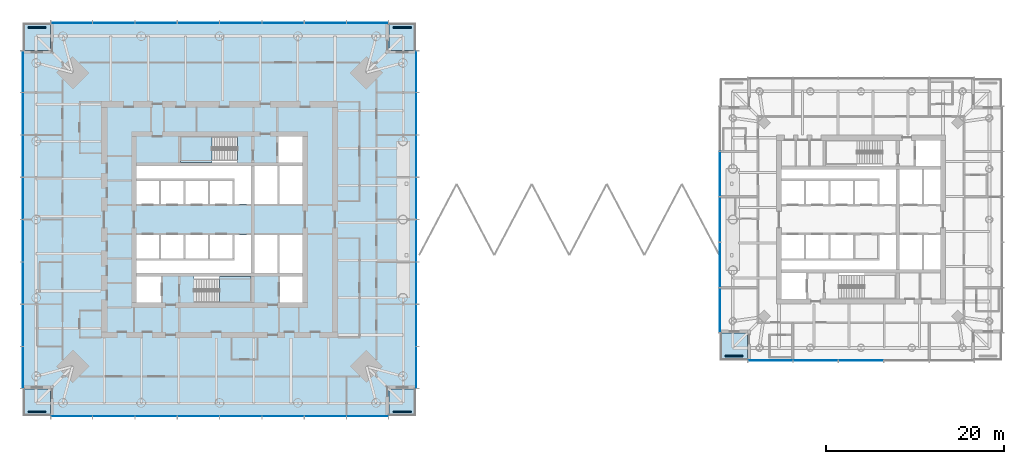
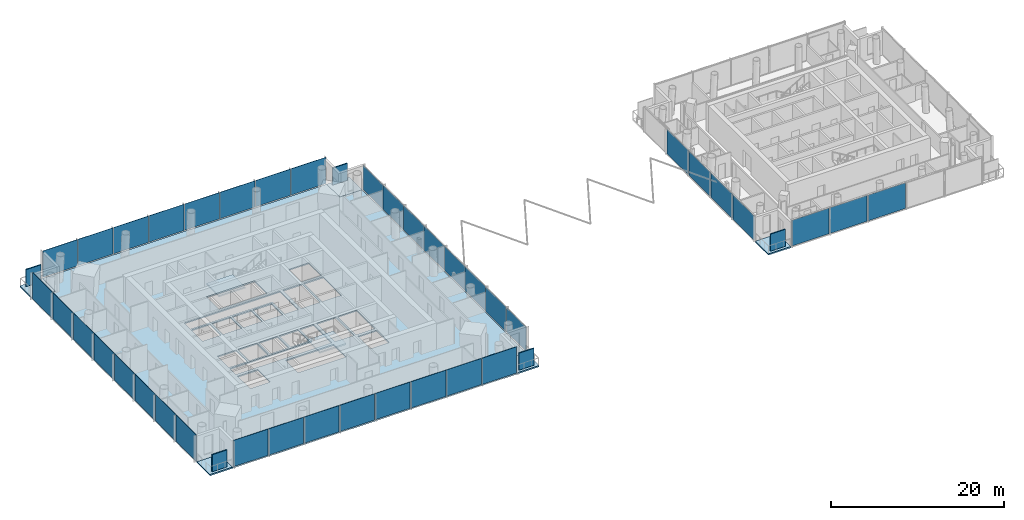
# One storey, part 7 of 19: 44 plates, 8 slabs, 8 elements without a shape of their own.
"""IFC4 building model written with IfcOpenShell, lengths in metres."""

from ifc_helpers import new_model, si_unit, direction, frame, origin, origin_2d, place, context, subcontext, project, spatial, polyline, rectangle, outline, extrude, material, layer, layer_set, type_object, element, aggregate, save


model = new_model("IFC4")

# Units and contexts
model_context = context("Model", 3, precision=1e-05, world=origin(), true_north=direction((0.0, 1.0)))
body_context = subcontext(model_context, "Body", "Model", "MODEL_VIEW")
ifc_project = project(units=[si_unit("LENGTHUNIT", "METRE"), si_unit("AREAUNIT", "SQUARE_METRE"), si_unit("VOLUMEUNIT", "CUBIC_METRE"), si_unit("PLANEANGLEUNIT", "RADIAN"), si_unit("MASSUNIT", "GRAM", prefix="KILO")], contexts=[model_context])

# Site, building, storey
site_placement = place(None, origin())
site = spatial("IfcSite", under=ifc_project, at=site_placement, CompositionType="ELEMENT")
building_placement = place(site_placement, origin())
building = spatial("IfcBuilding", under=site, at=building_placement, Name="Ostroluk Exchange", CompositionType="ELEMENT")
storey_placement = place(building_placement, frame((0.0, 0.0, 127.39990234375)))
storey = spatial("IfcBuildingStorey", under=building, at=storey_placement, Name="L32", CompositionType="ELEMENT", Elevation=127.39990234375)

# Curtain wall, plates
ifc_material_1 = material(Name="Laminated clear glass", Category="glass")
curtain_wall_type_1 = type_object("IfcCurtainWallType", Name="Hotel guest floor facade", PredefinedType="USERDEFINED", material=ifc_material_1)
curtain_wall_1_placement = place(storey_placement, origin())
curtain_wall_1 = element("IfcCurtainWall", 1, at=curtain_wall_1_placement, inside=storey, type_object=curtain_wall_type_1, Name="Hotel tower south facade L32", ObjectType="UNITISED CURTAIN WALL", PredefinedType="USERDEFINED")
ifc_material_2 = material(Name="Laminated clear glass", Category="glass")
ifc_layer_1 = layer(ifc_material_2, 0.0400390625)
ifc_layer_set_1 = layer_set([ifc_layer_1], Name="Acoustic laminated glazing 40")
plate_type_1 = type_object("IfcPlateType", Name="Acoustic laminated glazing 40", PredefinedType="CURTAIN_PANEL", material=ifc_layer_set_1)
plate_1_placement = place(storey_placement, frame((106.820068359375, 30.175048828125, 0.080078125), z_axis=(0.0, 0.0, 1.0), x_axis=(1.0, 0.0, 0.0)))
plate_1 = element("IfcPlate", 2, at=plate_1_placement, type_object=plate_type_1, Name="CW-H1 panel 1.1", PredefinedType="CURTAIN_PANEL", context=body_context, shape_type="SweptSolid", body=[
    extrude(rectangle(XDim=4.97998046875, YDim=0.0400390625, at=origin_2d()), origin(), (0.0, 0.0, 1.0), 3.639892578125),
])
plate_2_placement = place(storey_placement, frame((111.89990234375, 30.175048828125, 0.080078125), z_axis=(0.0, 0.0, 1.0), x_axis=(1.0, 0.0, 0.0)))
plate_2 = element("IfcPlate", 3, at=plate_2_placement, type_object=plate_type_1, Name="CW-H1 panel 2.1", PredefinedType="CURTAIN_PANEL", context=body_context, shape_type="SweptSolid", body=[
    extrude(rectangle(XDim=5.02001953125, YDim=0.0400390625, at=origin_2d()), origin(), (0.0, 0.0, 1.0), 3.639892578125),
])
plate_3_placement = place(storey_placement, frame((117.0, 30.175048828125, 0.080078125), z_axis=(0.0, 0.0, 1.0), x_axis=(1.0, 0.0, 0.0)))
plate_3 = element("IfcPlate", 4, at=plate_3_placement, type_object=plate_type_1, Name="CW-H1 panel 3.1", PredefinedType="CURTAIN_PANEL", context=body_context, shape_type="SweptSolid", body=[
    extrude(rectangle(XDim=5.02001953125, YDim=0.0400390625, at=origin_2d()), origin(), (0.0, 0.0, 1.0), 3.639892578125),
])
aggregate(curtain_wall_1, [plate_1, plate_2, plate_3])

curtain_wall_2_placement = place(storey_placement, origin())
curtain_wall_2 = element("IfcCurtainWall", 5, at=curtain_wall_2_placement, inside=storey, type_object=curtain_wall_type_1, Name="Hotel tower west facade L32", ObjectType="UNITISED CURTAIN WALL", PredefinedType="USERDEFINED")
plate_4_placement = place(storey_placement, frame((101.175048828125, 51.10009765625, 0.080078125), z_axis=(0.0, 0.0, 1.0), x_axis=(0.0, -1.0, 0.0)))
plate_4 = element("IfcPlate", 6, at=plate_4_placement, type_object=plate_type_1, Name="CW-H1 panel 2.1", PredefinedType="CURTAIN_PANEL", context=body_context, shape_type="SweptSolid", body=[
    extrude(rectangle(XDim=5.02001953125, YDim=0.0400390625, at=origin_2d()), origin(), (0.0, 0.0, 1.0), 3.43994140625),
])
plate_5_placement = place(storey_placement, frame((101.175048828125, 46.0, 0.080078125), z_axis=(0.0, 0.0, 1.0), x_axis=(0.0, -1.0, 0.0)))
plate_5 = element("IfcPlate", 7, at=plate_5_placement, type_object=plate_type_1, Name="CW-H1 panel 3.1", PredefinedType="CURTAIN_PANEL", context=body_context, shape_type="SweptSolid", body=[
    extrude(rectangle(XDim=5.02001953125, YDim=0.0400390625, at=origin_2d()), origin(), (0.0, 0.0, 1.0), 3.43994140625),
])
plate_6_placement = place(storey_placement, frame((101.175048828125, 40.89990234375, 0.080078125), z_axis=(0.0, 0.0, 1.0), x_axis=(0.0, -1.0, 0.0)))
plate_6 = element("IfcPlate", 8, at=plate_6_placement, type_object=plate_type_1, Name="CW-H1 panel 4.1", PredefinedType="CURTAIN_PANEL", context=body_context, shape_type="SweptSolid", body=[
    extrude(rectangle(XDim=5.02001953125, YDim=0.0400390625, at=origin_2d()), origin(), (0.0, 0.0, 1.0), 3.43994140625),
])
plate_7_placement = place(storey_placement, frame((101.175048828125, 35.820068359375, 0.080078125), z_axis=(0.0, 0.0, 1.0), x_axis=(0.0, -1.0, 0.0)))
plate_7 = element("IfcPlate", 9, at=plate_7_placement, type_object=plate_type_1, Name="CW-H1 panel 5.1", PredefinedType="CURTAIN_PANEL", context=body_context, shape_type="SweptSolid", body=[
    extrude(rectangle(XDim=4.97998046875, YDim=0.0400390625, at=origin_2d()), origin(), (0.0, 0.0, 1.0), 3.43994140625),
])
aggregate(curtain_wall_2, [plate_4, plate_5, plate_6, plate_7])

# Slabs
ifc_material_3 = material(Name="Concrete C35/45", Category="concrete")
ifc_layer_2 = layer(ifc_material_3, 0.179931640625)
ifc_layer_set_2 = layer_set([ifc_layer_2], Name="Balcony slab 180")
slab_type_1 = type_object("IfcSlabType", Name="Balcony slab 180", PredefinedType="USERDEFINED", material=ifc_layer_set_2)
slab_1_placement = place(storey_placement, frame((0.0, 0.0, -0.179931640625)))
element("IfcSlab", 10, at=slab_1_placement, inside=storey, type_object=slab_type_1, Name="Office tower SE corner balcony L32", ObjectType="BALCONY", PredefinedType="USERDEFINED", context=body_context, shape_type="SweptSolid", body=[
    extrude(outline(polyline([(64.0, 24.0), (67.0, 24.0), (67.0, 27.0), (64.0, 27.0), (64.0, 24.0)])), origin(), (0.0, 0.0, 1.0), 0.179931640625),
])
slab_2_placement = place(storey_placement, frame((0.0, 0.0, -0.179931640625)))
element("IfcSlab", 11, at=slab_2_placement, inside=storey, type_object=slab_type_1, Name="Office tower NE corner balcony L32", ObjectType="BALCONY", PredefinedType="USERDEFINED", context=body_context, shape_type="SweptSolid", body=[
    extrude(outline(polyline([(64.0, 65.0), (67.0, 65.0), (67.0, 68.0), (64.0, 68.0), (64.0, 65.0)])), origin(), (0.0, 0.0, 1.0), 0.179931640625),
])
slab_3_placement = place(storey_placement, frame((0.0, 0.0, -0.179931640625)))
element("IfcSlab", 12, at=slab_3_placement, inside=storey, type_object=slab_type_1, Name="Office tower NW corner balcony L32", ObjectType="BALCONY", PredefinedType="USERDEFINED", context=body_context, shape_type="SweptSolid", body=[
    extrude(outline(polyline([(23.0, 65.0), (26.0, 65.0), (26.0, 68.0), (23.0, 68.0), (23.0, 65.0)])), origin(), (0.0, 0.0, 1.0), 0.179931640625),
])
slab_4_placement = place(storey_placement, frame((0.0, 0.0, -0.179931640625)))
element("IfcSlab", 13, at=slab_4_placement, inside=storey, type_object=slab_type_1, Name="Office tower SW corner balcony L32", ObjectType="BALCONY", PredefinedType="USERDEFINED", context=body_context, shape_type="SweptSolid", body=[
    extrude(outline(polyline([(23.0, 24.0), (26.0, 24.0), (26.0, 27.0), (23.0, 27.0), (23.0, 24.0)])), origin(), (0.0, 0.0, 1.0), 0.179931640625),
])
ifc_material_4 = material(Name="Concrete C35/45", Category="concrete")
ifc_layer_3 = layer(ifc_material_4, 0.199951171875)
ifc_layer_set_3 = layer_set([ifc_layer_3], Name="Balcony slab 200")
slab_type_2 = type_object("IfcSlabType", Name="Balcony slab 200", PredefinedType="USERDEFINED", material=ifc_layer_set_3)
slab_5_placement = place(storey_placement, frame((0.0, 0.0, -0.199951171875)))
element("IfcSlab", 14, at=slab_5_placement, inside=storey, type_object=slab_type_2, Name="Hotel tower SW corner balcony L32", ObjectType="BALCONY", PredefinedType="USERDEFINED", context=body_context, shape_type="SweptSolid", body=[
    extrude(outline(polyline([(101.25, 30.25), (104.25, 30.25), (104.25, 33.25), (101.25, 33.25), (101.25, 30.25)])), origin(), (0.0, 0.0, 1.0), 0.199951171875),
])

# Plates
ifc_material_5 = material(Name="Steel S355 trellis with planting", Category="steel")
ifc_layer_4 = layer(ifc_material_5, 0.14990234375)
ifc_layer_set_4 = layer_set([ifc_layer_4], Name="Planted screen 150")
plate_type_2 = type_object("IfcPlateType", Name="Planted screen 150", PredefinedType="USERDEFINED", material=ifc_layer_set_4)
for number, where, z_axis, x_axis, name in (
    (15, (65.5, 24.425048828125, 0.000244140625), (0.0, 0.0, 1.0), (1.0, 0.0, 0.0), "Office tower SE planted screen L32"),
    (16, (65.5, 67.574951171875, 0.000244140625), (0.0, 0.0, 1.0), (1.0, 0.0, 0.0), "Office tower NE planted screen L32"),
    (17, (24.5, 67.574951171875, 0.000244140625), (0.0, 0.0, 1.0), (1.0, 0.0, 0.0), "Office tower NW planted screen L32"),
    (18, (24.5, 24.425048828125, 0.000244140625), (0.0, 0.0, 1.0), (1.0, 0.0, 0.0), "Office tower SW planted screen L32"),
    (19, (102.75, 30.675048828125, 0.000244140625), (0.0, 0.0, 1.0), (1.0, 0.0, 0.0), "Hotel tower SW planted screen L32"),
):
    element("IfcPlate", number, at=place(storey_placement, frame(where, z_axis=z_axis, x_axis=x_axis)), inside=storey, type_object=plate_type_2, Name=name, ObjectType="PLANTED SCREEN", PredefinedType="USERDEFINED", context=body_context, shape_type="SweptSolid", body=[
        extrude(rectangle(XDim=2.0, YDim=0.14990234375, at=origin_2d()), origin(), (0.0, 0.0, 1.0), 2.39990234375),
    ])

# Stair, slab
ifc_material_6 = material(Name="Concrete C30/37", Category="concrete")
stair_type = type_object("IfcStairType", Name="Exit stair half turn 3800", PredefinedType="HALF_TURN_STAIR", material=ifc_material_6)
stair_1_placement = place(storey_placement, origin())
stair_1 = element("IfcStair", 20, at=stair_1_placement, inside=storey, type_object=stair_type, Name="Stair T1-S1 L32", PredefinedType="HALF_TURN_STAIR")
ifc_material_7 = material(Name="Concrete C30/37", Category="concrete")
ifc_layer_5 = layer(ifc_material_7, 0.199951171875)
ifc_layer_set_5 = layer_set([ifc_layer_5], Name="Stair landing 200")
slab_type_3 = type_object("IfcSlabType", Name="Stair landing 200", PredefinedType="LANDING", material=ifc_layer_set_5)
slab_6_placement = place(storey_placement, frame((0.0, 0.0, 1.7001953125)))
slab_6 = element("IfcSlab", 21, at=slab_6_placement, type_object=slab_type_3, Name="T1-S1 landing 1", PredefinedType="LANDING", context=body_context, shape_type="SweptSolid", body=[
    extrude(outline(polyline([(45.0, 36.699951171875), (45.0, 39.60009765625), (48.530029296875, 39.60009765625), (48.530029296875, 36.699951171875), (45.0, 36.699951171875)])), origin(), (0.0, 0.0, 1.0), 0.199951171875),
])
aggregate(stair_1, [slab_6])

stair_2_placement = place(storey_placement, origin())
stair_2 = element("IfcStair", 22, at=stair_2_placement, inside=storey, type_object=stair_type, Name="Stair T1-S2 L32", PredefinedType="HALF_TURN_STAIR")
slab_7_placement = place(storey_placement, frame((0.0, 0.0, 1.7001953125)))
slab_7 = element("IfcSlab", 23, at=slab_7_placement, type_object=slab_type_3, Name="T1-S2 landing 1", PredefinedType="LANDING", context=body_context, shape_type="SweptSolid", body=[
    extrude(outline(polyline([(44.1298828125, 52.39990234375), (44.1298828125, 55.300048828125), (40.60009765625, 55.300048828125), (40.60009765625, 52.39990234375), (44.1298828125, 52.39990234375)])), origin(), (0.0, 0.0, 1.0), 0.199951171875),
])
aggregate(stair_2, [slab_7])

# Slab
ifc_material_8 = material(Name="Concrete C35/45", Category="concrete")
ifc_layer_6 = layer(ifc_material_8, 0.179931640625)
ifc_layer_set_6 = layer_set([ifc_layer_6], Name="Tower floor slab 180 composite")
slab_type_4 = type_object("IfcSlabType", Name="Tower floor slab 180 composite", PredefinedType="FLOOR", material=ifc_layer_set_6)
slab_8_placement = place(storey_placement, frame((0.0, 0.0, -0.179931640625)))
element("IfcSlab", 24, at=slab_8_placement, inside=storey, type_object=slab_type_4, Name="Office tower floor slab L32", PredefinedType="FLOOR", context=body_context, shape_type="SweptSolid", body=[
    extrude(outline(polyline([(26.0, 24.0), (64.0, 24.0), (64.0, 27.0), (67.0, 27.0), (67.0, 65.0), (64.0, 65.0), (64.0, 68.0), (26.0, 68.0), (26.0, 65.0), (23.0, 65.0), (23.0, 27.0), (26.0, 27.0), (26.0, 24.0)]), holes=[polyline([(35.699951171875, 36.699951171875), (38.39990234375, 36.699951171875), (38.39990234375, 39.60009765625), (35.699951171875, 39.60009765625), (35.699951171875, 36.699951171875)]), polyline([(42.110107421875, 36.699951171875), (48.530029296875, 36.699951171875), (48.530029296875, 39.60009765625), (42.110107421875, 39.60009765625), (42.110107421875, 36.699951171875)]), polyline([(51.800048828125, 36.699951171875), (54.300048828125, 36.699951171875), (54.300048828125, 39.60009765625), (51.800048828125, 39.60009765625), (51.800048828125, 36.699951171875)]), polyline([(40.60009765625, 52.39990234375), (47.02001953125, 52.39990234375), (47.02001953125, 55.300048828125), (40.60009765625, 55.300048828125), (40.60009765625, 52.39990234375)]), polyline([(51.60009765625, 52.39990234375), (54.300048828125, 52.39990234375), (54.300048828125, 55.300048828125), (51.60009765625, 55.300048828125), (51.60009765625, 52.39990234375)]), polyline([(35.699951171875, 47.75), (38.199951171875, 47.75), (38.199951171875, 50.35009765625), (35.699951171875, 50.35009765625), (35.699951171875, 47.75)]), polyline([(38.449951171875, 47.75), (40.949951171875, 47.75), (40.949951171875, 50.35009765625), (38.449951171875, 50.35009765625), (38.449951171875, 47.75)]), polyline([(41.199951171875, 47.75), (43.699951171875, 47.75), (43.699951171875, 50.35009765625), (41.199951171875, 50.35009765625), (41.199951171875, 47.75)]), polyline([(43.949951171875, 47.75), (46.449951171875, 47.75), (46.449951171875, 50.35009765625), (43.949951171875, 50.35009765625), (43.949951171875, 47.75)]), polyline([(35.699951171875, 41.64990234375), (38.199951171875, 41.64990234375), (38.199951171875, 44.25), (35.699951171875, 44.25), (35.699951171875, 41.64990234375)]), polyline([(38.449951171875, 41.64990234375), (40.949951171875, 41.64990234375), (40.949951171875, 44.25), (38.449951171875, 44.25), (38.449951171875, 41.64990234375)]), polyline([(41.199951171875, 41.64990234375), (43.699951171875, 41.64990234375), (43.699951171875, 44.25), (41.199951171875, 44.25), (41.199951171875, 41.64990234375)]), polyline([(43.949951171875, 41.64990234375), (46.449951171875, 41.64990234375), (46.449951171875, 44.25), (43.949951171875, 44.25), (43.949951171875, 41.64990234375)]), polyline([(48.929931640625, 47.75), (51.489990234375, 47.75), (51.489990234375, 52.0), (48.929931640625, 52.0), (48.929931640625, 47.75)]), polyline([(51.739990234375, 47.75), (54.300048828125, 47.75), (54.300048828125, 52.0), (51.739990234375, 52.0), (51.739990234375, 47.75)]), polyline([(48.929931640625, 40.0), (51.489990234375, 40.0), (51.489990234375, 44.25), (48.929931640625, 44.25), (48.929931640625, 40.0)]), polyline([(51.739990234375, 40.0), (54.300048828125, 40.0), (54.300048828125, 44.25), (51.739990234375, 44.25), (51.739990234375, 40.0)]), polyline([(48.530029296875, 52.0), (48.530029296875, 47.75), (46.699951171875, 47.75), (46.699951171875, 50.60009765625), (35.699951171875, 50.60009765625), (35.699951171875, 52.0), (48.530029296875, 52.0)]), polyline([(35.699951171875, 40.0), (35.699951171875, 41.39990234375), (46.699951171875, 41.39990234375), (46.699951171875, 44.25), (48.530029296875, 44.25), (48.530029296875, 40.0), (35.699951171875, 40.0)])]), origin(), (0.0, 0.0, 1.0), 0.179931640625),
])

# Curtain wall, plates
ifc_material_9 = material(Name="Laminated clear glass", Category="glass")
curtain_wall_type_2 = type_object("IfcCurtainWallType", Name="Office tower facade", PredefinedType="USERDEFINED", material=ifc_material_9)
curtain_wall_3_placement = place(storey_placement, origin())
curtain_wall_3 = element("IfcCurtainWall", 25, at=curtain_wall_3_placement, inside=storey, type_object=curtain_wall_type_2, Name="Office tower south facade L32", ObjectType="UNITISED CURTAIN WALL", PredefinedType="USERDEFINED")
ifc_material_10 = material(Name="Laminated clear glass", Category="glass")
ifc_layer_7 = layer(ifc_material_10, 0.0439453125)
ifc_layer_set_7 = layer_set([ifc_layer_7], Name="Triple laminated clear glazing 44")
plate_type_3 = type_object("IfcPlateType", Name="Triple laminated clear glazing 44", PredefinedType="CURTAIN_PANEL", material=ifc_layer_set_7)
plate_8_placement = place(storey_placement, frame((28.39501953125, 23.925048828125, 0.080078125), z_axis=(0.0, 0.0, 1.0), x_axis=(1.0, 0.0, 0.0)))
plate_8 = element("IfcPlate", 26, at=plate_8_placement, type_object=plate_type_3, Name="CW-O1 panel 1.1", PredefinedType="CURTAIN_PANEL", context=body_context, shape_type="SweptSolid", body=[
    extrude(rectangle(XDim=4.6298828125, YDim=0.0439453125, at=origin_2d()), origin(), (0.0, 0.0, 1.0), 3.719970703125),
])
plate_9_placement = place(storey_placement, frame((33.125, 23.925048828125, 0.080078125), z_axis=(0.0, 0.0, 1.0), x_axis=(1.0, 0.0, 0.0)))
plate_9 = element("IfcPlate", 27, at=plate_9_placement, type_object=plate_type_3, Name="CW-O1 panel 2.1", PredefinedType="CURTAIN_PANEL", context=body_context, shape_type="SweptSolid", body=[
    extrude(rectangle(XDim=4.669921875, YDim=0.0439453125, at=origin_2d()), origin(), (0.0, 0.0, 1.0), 3.719970703125),
])
plate_10_placement = place(storey_placement, frame((37.875, 23.925048828125, 0.080078125), z_axis=(0.0, 0.0, 1.0), x_axis=(1.0, 0.0, 0.0)))
plate_10 = element("IfcPlate", 28, at=plate_10_placement, type_object=plate_type_3, Name="CW-O1 panel 3.1", PredefinedType="CURTAIN_PANEL", context=body_context, shape_type="SweptSolid", body=[
    extrude(rectangle(XDim=4.669921875, YDim=0.0439453125, at=origin_2d()), origin(), (0.0, 0.0, 1.0), 3.719970703125),
])
plate_11_placement = place(storey_placement, frame((42.625, 23.925048828125, 0.080078125), z_axis=(0.0, 0.0, 1.0), x_axis=(1.0, 0.0, 0.0)))
plate_11 = element("IfcPlate", 29, at=plate_11_placement, type_object=plate_type_3, Name="CW-O1 panel 4.1", PredefinedType="CURTAIN_PANEL", context=body_context, shape_type="SweptSolid", body=[
    extrude(rectangle(XDim=4.669921875, YDim=0.0439453125, at=origin_2d()), origin(), (0.0, 0.0, 1.0), 3.719970703125),
])
plate_12_placement = place(storey_placement, frame((47.375, 23.925048828125, 0.080078125), z_axis=(0.0, 0.0, 1.0), x_axis=(1.0, 0.0, 0.0)))
plate_12 = element("IfcPlate", 30, at=plate_12_placement, type_object=plate_type_3, Name="CW-O1 panel 5.1", PredefinedType="CURTAIN_PANEL", context=body_context, shape_type="SweptSolid", body=[
    extrude(rectangle(XDim=4.669921875, YDim=0.0439453125, at=origin_2d()), origin(), (0.0, 0.0, 1.0), 3.719970703125),
])
plate_13_placement = place(storey_placement, frame((52.125, 23.925048828125, 0.080078125), z_axis=(0.0, 0.0, 1.0), x_axis=(1.0, 0.0, 0.0)))
plate_13 = element("IfcPlate", 31, at=plate_13_placement, type_object=plate_type_3, Name="CW-O1 panel 6.1", PredefinedType="CURTAIN_PANEL", context=body_context, shape_type="SweptSolid", body=[
    extrude(rectangle(XDim=4.669921875, YDim=0.0439453125, at=origin_2d()), origin(), (0.0, 0.0, 1.0), 3.719970703125),
])
plate_14_placement = place(storey_placement, frame((56.875, 23.925048828125, 0.080078125), z_axis=(0.0, 0.0, 1.0), x_axis=(1.0, 0.0, 0.0)))
plate_14 = element("IfcPlate", 32, at=plate_14_placement, type_object=plate_type_3, Name="CW-O1 panel 7.1", PredefinedType="CURTAIN_PANEL", context=body_context, shape_type="SweptSolid", body=[
    extrude(rectangle(XDim=4.669921875, YDim=0.0439453125, at=origin_2d()), origin(), (0.0, 0.0, 1.0), 3.719970703125),
])
plate_15_placement = place(storey_placement, frame((61.60498046875, 23.925048828125, 0.080078125), z_axis=(0.0, 0.0, 1.0), x_axis=(1.0, 0.0, 0.0)))
plate_15 = element("IfcPlate", 33, at=plate_15_placement, type_object=plate_type_3, Name="CW-O1 panel 8.1", PredefinedType="CURTAIN_PANEL", context=body_context, shape_type="SweptSolid", body=[
    extrude(rectangle(XDim=4.6298828125, YDim=0.0439453125, at=origin_2d()), origin(), (0.0, 0.0, 1.0), 3.719970703125),
])
aggregate(curtain_wall_3, [plate_8, plate_9, plate_10, plate_11, plate_12, plate_13, plate_14, plate_15])

curtain_wall_4_placement = place(storey_placement, origin())
curtain_wall_4 = element("IfcCurtainWall", 34, at=curtain_wall_4_placement, inside=storey, type_object=curtain_wall_type_2, Name="Office tower east facade L32", ObjectType="UNITISED CURTAIN WALL", PredefinedType="USERDEFINED")
plate_16_placement = place(storey_placement, frame((67.074951171875, 29.39501953125, 0.080078125), z_axis=(0.0, 0.0, 1.0), x_axis=(0.0, 1.0, 0.0)))
plate_16 = element("IfcPlate", 35, at=plate_16_placement, type_object=plate_type_3, Name="CW-O1 panel 1.1", PredefinedType="CURTAIN_PANEL", context=body_context, shape_type="SweptSolid", body=[
    extrude(rectangle(XDim=4.6298828125, YDim=0.0439453125, at=origin_2d()), origin(), (0.0, 0.0, 1.0), 3.43994140625),
])
plate_17_placement = place(storey_placement, frame((67.074951171875, 34.125, 0.080078125), z_axis=(0.0, 0.0, 1.0), x_axis=(0.0, 1.0, 0.0)))
plate_17 = element("IfcPlate", 36, at=plate_17_placement, type_object=plate_type_3, Name="CW-O1 panel 2.1", PredefinedType="CURTAIN_PANEL", context=body_context, shape_type="SweptSolid", body=[
    extrude(rectangle(XDim=4.669921875, YDim=0.0439453125, at=origin_2d()), origin(), (0.0, 0.0, 1.0), 3.43994140625),
])
plate_18_placement = place(storey_placement, frame((67.074951171875, 38.875, 0.080078125), z_axis=(0.0, 0.0, 1.0), x_axis=(0.0, 1.0, 0.0)))
plate_18 = element("IfcPlate", 37, at=plate_18_placement, type_object=plate_type_3, Name="CW-O1 panel 3.1", PredefinedType="CURTAIN_PANEL", context=body_context, shape_type="SweptSolid", body=[
    extrude(rectangle(XDim=4.669921875, YDim=0.0439453125, at=origin_2d()), origin(), (0.0, 0.0, 1.0), 3.43994140625),
])
plate_19_placement = place(storey_placement, frame((67.074951171875, 43.625, 0.080078125), z_axis=(0.0, 0.0, 1.0), x_axis=(0.0, 1.0, 0.0)))
plate_19 = element("IfcPlate", 38, at=plate_19_placement, type_object=plate_type_3, Name="CW-O1 panel 4.1", PredefinedType="CURTAIN_PANEL", context=body_context, shape_type="SweptSolid", body=[
    extrude(rectangle(XDim=4.669921875, YDim=0.0439453125, at=origin_2d()), origin(), (0.0, 0.0, 1.0), 3.43994140625),
])
plate_20_placement = place(storey_placement, frame((67.074951171875, 48.375, 0.080078125), z_axis=(0.0, 0.0, 1.0), x_axis=(0.0, 1.0, 0.0)))
plate_20 = element("IfcPlate", 39, at=plate_20_placement, type_object=plate_type_3, Name="CW-O1 panel 5.1", PredefinedType="CURTAIN_PANEL", context=body_context, shape_type="SweptSolid", body=[
    extrude(rectangle(XDim=4.669921875, YDim=0.0439453125, at=origin_2d()), origin(), (0.0, 0.0, 1.0), 3.43994140625),
])
plate_21_placement = place(storey_placement, frame((67.074951171875, 53.125, 0.080078125), z_axis=(0.0, 0.0, 1.0), x_axis=(0.0, 1.0, 0.0)))
plate_21 = element("IfcPlate", 40, at=plate_21_placement, type_object=plate_type_3, Name="CW-O1 panel 6.1", PredefinedType="CURTAIN_PANEL", context=body_context, shape_type="SweptSolid", body=[
    extrude(rectangle(XDim=4.669921875, YDim=0.0439453125, at=origin_2d()), origin(), (0.0, 0.0, 1.0), 3.43994140625),
])
plate_22_placement = place(storey_placement, frame((67.074951171875, 57.875, 0.080078125), z_axis=(0.0, 0.0, 1.0), x_axis=(0.0, 1.0, 0.0)))
plate_22 = element("IfcPlate", 41, at=plate_22_placement, type_object=plate_type_3, Name="CW-O1 panel 7.1", PredefinedType="CURTAIN_PANEL", context=body_context, shape_type="SweptSolid", body=[
    extrude(rectangle(XDim=4.669921875, YDim=0.0439453125, at=origin_2d()), origin(), (0.0, 0.0, 1.0), 3.43994140625),
])
plate_23_placement = place(storey_placement, frame((67.074951171875, 62.60498046875, 0.080078125), z_axis=(0.0, 0.0, 1.0), x_axis=(0.0, 1.0, 0.0)))
plate_23 = element("IfcPlate", 42, at=plate_23_placement, type_object=plate_type_3, Name="CW-O1 panel 8.1", PredefinedType="CURTAIN_PANEL", context=body_context, shape_type="SweptSolid", body=[
    extrude(rectangle(XDim=4.6298828125, YDim=0.0439453125, at=origin_2d()), origin(), (0.0, 0.0, 1.0), 3.43994140625),
])
aggregate(curtain_wall_4, [plate_16, plate_17, plate_18, plate_19, plate_20, plate_21, plate_22, plate_23])

curtain_wall_5_placement = place(storey_placement, origin())
curtain_wall_5 = element("IfcCurtainWall", 43, at=curtain_wall_5_placement, inside=storey, type_object=curtain_wall_type_2, Name="Office tower north facade L32", ObjectType="UNITISED CURTAIN WALL", PredefinedType="USERDEFINED")
plate_24_placement = place(storey_placement, frame((61.60498046875, 68.074951171875, 0.080078125), z_axis=(0.0, 0.0, 1.0), x_axis=(-1.0, 0.0, 0.0)))
plate_24 = element("IfcPlate", 44, at=plate_24_placement, type_object=plate_type_3, Name="CW-O1 panel 1.1", PredefinedType="CURTAIN_PANEL", context=body_context, shape_type="SweptSolid", body=[
    extrude(rectangle(XDim=4.6298828125, YDim=0.0439453125, at=origin_2d()), origin(), (0.0, 0.0, 1.0), 3.719970703125),
])
plate_25_placement = place(storey_placement, frame((56.875, 68.074951171875, 0.080078125), z_axis=(0.0, 0.0, 1.0), x_axis=(-1.0, 0.0, 0.0)))
plate_25 = element("IfcPlate", 45, at=plate_25_placement, type_object=plate_type_3, Name="CW-O1 panel 2.1", PredefinedType="CURTAIN_PANEL", context=body_context, shape_type="SweptSolid", body=[
    extrude(rectangle(XDim=4.669921875, YDim=0.0439453125, at=origin_2d()), origin(), (0.0, 0.0, 1.0), 3.719970703125),
])
plate_26_placement = place(storey_placement, frame((52.125, 68.074951171875, 0.080078125), z_axis=(0.0, 0.0, 1.0), x_axis=(-1.0, 0.0, 0.0)))
plate_26 = element("IfcPlate", 46, at=plate_26_placement, type_object=plate_type_3, Name="CW-O1 panel 3.1", PredefinedType="CURTAIN_PANEL", context=body_context, shape_type="SweptSolid", body=[
    extrude(rectangle(XDim=4.669921875, YDim=0.0439453125, at=origin_2d()), origin(), (0.0, 0.0, 1.0), 3.719970703125),
])
plate_27_placement = place(storey_placement, frame((47.375, 68.074951171875, 0.080078125), z_axis=(0.0, 0.0, 1.0), x_axis=(-1.0, 0.0, 0.0)))
plate_27 = element("IfcPlate", 47, at=plate_27_placement, type_object=plate_type_3, Name="CW-O1 panel 4.1", PredefinedType="CURTAIN_PANEL", context=body_context, shape_type="SweptSolid", body=[
    extrude(rectangle(XDim=4.669921875, YDim=0.0439453125, at=origin_2d()), origin(), (0.0, 0.0, 1.0), 3.719970703125),
])
plate_28_placement = place(storey_placement, frame((42.625, 68.074951171875, 0.080078125), z_axis=(0.0, 0.0, 1.0), x_axis=(-1.0, 0.0, 0.0)))
plate_28 = element("IfcPlate", 48, at=plate_28_placement, type_object=plate_type_3, Name="CW-O1 panel 5.1", PredefinedType="CURTAIN_PANEL", context=body_context, shape_type="SweptSolid", body=[
    extrude(rectangle(XDim=4.669921875, YDim=0.0439453125, at=origin_2d()), origin(), (0.0, 0.0, 1.0), 3.719970703125),
])
plate_29_placement = place(storey_placement, frame((37.875, 68.074951171875, 0.080078125), z_axis=(0.0, 0.0, 1.0), x_axis=(-1.0, 0.0, 0.0)))
plate_29 = element("IfcPlate", 49, at=plate_29_placement, type_object=plate_type_3, Name="CW-O1 panel 6.1", PredefinedType="CURTAIN_PANEL", context=body_context, shape_type="SweptSolid", body=[
    extrude(rectangle(XDim=4.669921875, YDim=0.0439453125, at=origin_2d()), origin(), (0.0, 0.0, 1.0), 3.719970703125),
])
plate_30_placement = place(storey_placement, frame((33.125, 68.074951171875, 0.080078125), z_axis=(0.0, 0.0, 1.0), x_axis=(-1.0, 0.0, 0.0)))
plate_30 = element("IfcPlate", 50, at=plate_30_placement, type_object=plate_type_3, Name="CW-O1 panel 7.1", PredefinedType="CURTAIN_PANEL", context=body_context, shape_type="SweptSolid", body=[
    extrude(rectangle(XDim=4.669921875, YDim=0.0439453125, at=origin_2d()), origin(), (0.0, 0.0, 1.0), 3.719970703125),
])
plate_31_placement = place(storey_placement, frame((28.39501953125, 68.074951171875, 0.080078125), z_axis=(0.0, 0.0, 1.0), x_axis=(-1.0, 0.0, 0.0)))
plate_31 = element("IfcPlate", 51, at=plate_31_placement, type_object=plate_type_3, Name="CW-O1 panel 8.1", PredefinedType="CURTAIN_PANEL", context=body_context, shape_type="SweptSolid", body=[
    extrude(rectangle(XDim=4.6298828125, YDim=0.0439453125, at=origin_2d()), origin(), (0.0, 0.0, 1.0), 3.719970703125),
])
aggregate(curtain_wall_5, [plate_24, plate_25, plate_26, plate_27, plate_28, plate_29, plate_30, plate_31])

curtain_wall_6_placement = place(storey_placement, origin())
curtain_wall_6 = element("IfcCurtainWall", 52, at=curtain_wall_6_placement, inside=storey, type_object=curtain_wall_type_2, Name="Office tower west facade L32", ObjectType="UNITISED CURTAIN WALL", PredefinedType="USERDEFINED")
plate_32_placement = place(storey_placement, frame((22.925048828125, 62.60498046875, 0.080078125), z_axis=(0.0, 0.0, 1.0), x_axis=(0.0, -1.0, 0.0)))
plate_32 = element("IfcPlate", 53, at=plate_32_placement, type_object=plate_type_3, Name="CW-O1 panel 1.1", PredefinedType="CURTAIN_PANEL", context=body_context, shape_type="SweptSolid", body=[
    extrude(rectangle(XDim=4.6298828125, YDim=0.0439453125, at=origin_2d()), origin(), (0.0, 0.0, 1.0), 3.719970703125),
])
plate_33_placement = place(storey_placement, frame((22.925048828125, 57.875, 0.080078125), z_axis=(0.0, 0.0, 1.0), x_axis=(0.0, -1.0, 0.0)))
plate_33 = element("IfcPlate", 54, at=plate_33_placement, type_object=plate_type_3, Name="CW-O1 panel 2.1", PredefinedType="CURTAIN_PANEL", context=body_context, shape_type="SweptSolid", body=[
    extrude(rectangle(XDim=4.669921875, YDim=0.0439453125, at=origin_2d()), origin(), (0.0, 0.0, 1.0), 3.719970703125),
])
plate_34_placement = place(storey_placement, frame((22.925048828125, 53.125, 0.080078125), z_axis=(0.0, 0.0, 1.0), x_axis=(0.0, -1.0, 0.0)))
plate_34 = element("IfcPlate", 55, at=plate_34_placement, type_object=plate_type_3, Name="CW-O1 panel 3.1", PredefinedType="CURTAIN_PANEL", context=body_context, shape_type="SweptSolid", body=[
    extrude(rectangle(XDim=4.669921875, YDim=0.0439453125, at=origin_2d()), origin(), (0.0, 0.0, 1.0), 3.719970703125),
])
plate_35_placement = place(storey_placement, frame((22.925048828125, 48.375, 0.080078125), z_axis=(0.0, 0.0, 1.0), x_axis=(0.0, -1.0, 0.0)))
plate_35 = element("IfcPlate", 56, at=plate_35_placement, type_object=plate_type_3, Name="CW-O1 panel 4.1", PredefinedType="CURTAIN_PANEL", context=body_context, shape_type="SweptSolid", body=[
    extrude(rectangle(XDim=4.669921875, YDim=0.0439453125, at=origin_2d()), origin(), (0.0, 0.0, 1.0), 3.719970703125),
])
plate_36_placement = place(storey_placement, frame((22.925048828125, 43.625, 0.080078125), z_axis=(0.0, 0.0, 1.0), x_axis=(0.0, -1.0, 0.0)))
plate_36 = element("IfcPlate", 57, at=plate_36_placement, type_object=plate_type_3, Name="CW-O1 panel 5.1", PredefinedType="CURTAIN_PANEL", context=body_context, shape_type="SweptSolid", body=[
    extrude(rectangle(XDim=4.669921875, YDim=0.0439453125, at=origin_2d()), origin(), (0.0, 0.0, 1.0), 3.719970703125),
])
plate_37_placement = place(storey_placement, frame((22.925048828125, 38.875, 0.080078125), z_axis=(0.0, 0.0, 1.0), x_axis=(0.0, -1.0, 0.0)))
plate_37 = element("IfcPlate", 58, at=plate_37_placement, type_object=plate_type_3, Name="CW-O1 panel 6.1", PredefinedType="CURTAIN_PANEL", context=body_context, shape_type="SweptSolid", body=[
    extrude(rectangle(XDim=4.669921875, YDim=0.0439453125, at=origin_2d()), origin(), (0.0, 0.0, 1.0), 3.719970703125),
])
plate_38_placement = place(storey_placement, frame((22.925048828125, 34.125, 0.080078125), z_axis=(0.0, 0.0, 1.0), x_axis=(0.0, -1.0, 0.0)))
plate_38 = element("IfcPlate", 59, at=plate_38_placement, type_object=plate_type_3, Name="CW-O1 panel 7.1", PredefinedType="CURTAIN_PANEL", context=body_context, shape_type="SweptSolid", body=[
    extrude(rectangle(XDim=4.669921875, YDim=0.0439453125, at=origin_2d()), origin(), (0.0, 0.0, 1.0), 3.719970703125),
])
plate_39_placement = place(storey_placement, frame((22.925048828125, 29.39501953125, 0.080078125), z_axis=(0.0, 0.0, 1.0), x_axis=(0.0, -1.0, 0.0)))
plate_39 = element("IfcPlate", 60, at=plate_39_placement, type_object=plate_type_3, Name="CW-O1 panel 8.1", PredefinedType="CURTAIN_PANEL", context=body_context, shape_type="SweptSolid", body=[
    extrude(rectangle(XDim=4.6298828125, YDim=0.0439453125, at=origin_2d()), origin(), (0.0, 0.0, 1.0), 3.719970703125),
])
aggregate(curtain_wall_6, [plate_32, plate_33, plate_34, plate_35, plate_36, plate_37, plate_38, plate_39])

save(model, "model.ifc")
